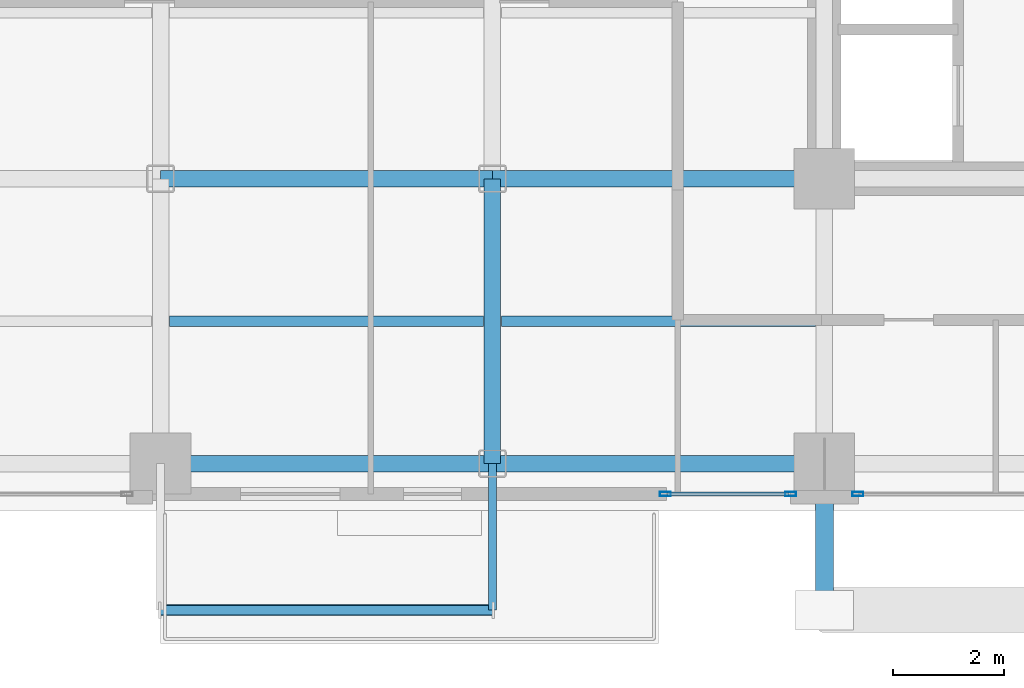
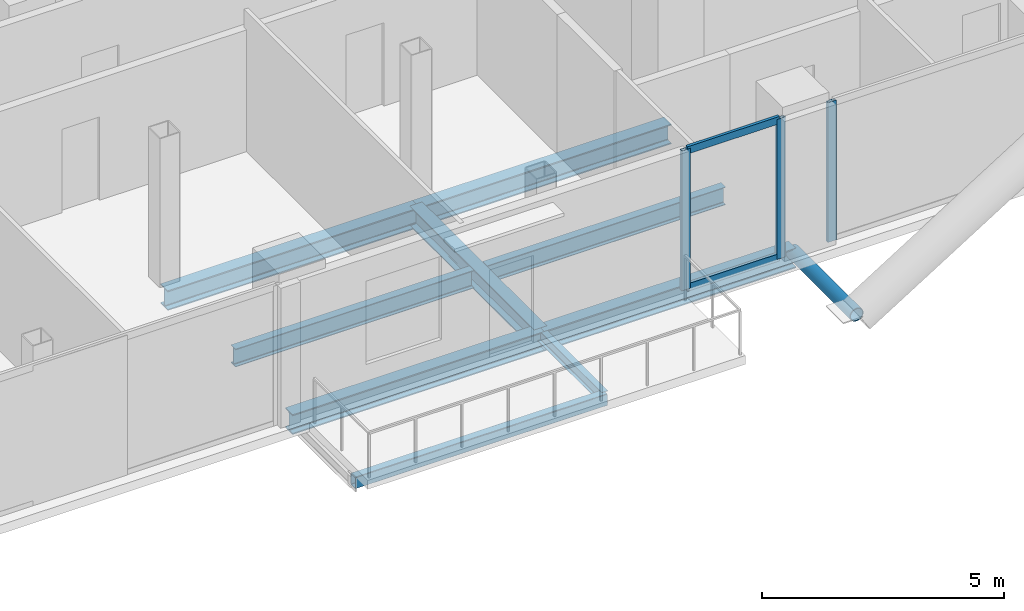
# One storey, part 3 of 24: 9 beams, 6 members, 2 elements without a shape of their own.
"""IFC4 building model written with IfcOpenShell, lengths in metres."""

from ifc_helpers import new_model, si_unit, direction, frame, origin, origin_2d, place, context, subcontext, project, spatial, hollow_rectangle, hollow_circle, i_section, extrude, material, layer, layer_set, material_profile, profile_set, type_object, element, aggregate, save


model = new_model("IFC4")

# Units and contexts
model_context = context("Model", 3, precision=1e-05, world=origin(), true_north=direction((0.0, 1.0)))
body_context = subcontext(model_context, "Body", "Model", "MODEL_VIEW")
ifc_project = project(units=[si_unit("LENGTHUNIT", "METRE"), si_unit("AREAUNIT", "SQUARE_METRE"), si_unit("VOLUMEUNIT", "CUBIC_METRE"), si_unit("PLANEANGLEUNIT", "RADIAN"), si_unit("MASSUNIT", "GRAM", prefix="KILO"), si_unit("THERMODYNAMICTEMPERATUREUNIT", "KELVIN"), si_unit("POWERUNIT", "WATT")], contexts=[model_context])

# Site, building, storey
site_placement = place(None, origin())
site = spatial("IfcSite", under=ifc_project, at=site_placement, CompositionType="ELEMENT")
building_placement = place(site_placement, origin())
building = spatial("IfcBuilding", under=site, at=building_placement, Name="Svarakhadi Broadcast Tower", CompositionType="ELEMENT")
storey_placement = place(building_placement, frame((0.0, 0.0, 145.64990234375)))
storey = spatial("IfcBuildingStorey", under=building, at=storey_placement, Name="L35", CompositionType="ELEMENT", Elevation=145.64990234375)

# Beams
ifc_material_1 = material(Name="Steel S355J2 (IS 2062 E350C)", Category="steel")
ifc_material_profile_1 = material_profile(ifc_material_1, i_section(OverallWidth=0.18994140625, OverallDepth=0.449951171875, WebThickness=0.009521484375, FlangeThickness=0.0146484375, FilletRadius=0.02099609375, at=origin_2d()), Name="NPB 450x190x78")
ifc_profile_set_1 = profile_set([ifc_material_profile_1], Name="Steel S355J2 (IS 2062 E350C)")
beam_type_1 = type_object("IfcBeamType", Name="Beam_NPB450", PredefinedType="BEAM", material=ifc_profile_set_1)
for number, where, z_axis, x_axis, name in (
    (1, (12.159912109375, 3.425048828125, -0.449951171875), (1.0, 0.0, 0.0), (0.0, 1.0, 0.0), "L35 Secondary Composite Beam SB011"),
    (2, (18.159912109375, 3.425048828125, -0.449951171875), (1.0, 0.0, 0.0), (0.0, 1.0, 0.0), "L35 Secondary Composite Beam SB016"),
):
    element("IfcBeam", number, at=place(storey_placement, frame(where, z_axis=z_axis, x_axis=x_axis)), inside=storey, type_object=beam_type_1, Name=name, PredefinedType="BEAM", context=body_context, shape_type="SweptSolid", body=[
        extrude(i_section(OverallWidth=0.18994140625, OverallDepth=0.449951171875, WebThickness=0.009521484375, FlangeThickness=0.0146484375, FilletRadius=0.02099609375, at=origin_2d()), origin(), (0.0, 0.0, 1.0), 5.68017578125),
    ])

# Curtain wall, member
ifc_material_2 = material(Name="Anodised Bronze Aluminium AA 6063-T6", Category="aluminium")
ifc_layer = layer(ifc_material_2, 0.199951171875)
ifc_layer_set = layer_set([ifc_layer], Name="Anodised Bronze Aluminium AA 6063-T6")
curtain_wall_type = type_object("IfcCurtainWallType", Name="CW_Sys_03", PredefinedType="NOTDEFINED", material=ifc_layer_set)
curtain_wall_1_placement = place(storey_placement, origin())
curtain_wall_1 = element("IfcCurtainWall", 3, at=curtain_wall_1_placement, inside=storey, type_object=curtain_wall_type, Name="L35 South Curtain Wall 16 Bay 3", PredefinedType="NOTDEFINED")
ifc_material_profile_2 = material_profile(ifc_material_2, hollow_rectangle(XDim=0.074951171875, YDim=0.199951171875, WallThickness=0.005615234375, at=origin_2d()), Name="ALU MULLION 200x75x6")
ifc_profile_set_2 = profile_set([ifc_material_profile_2], Name="Anodised Bronze Aluminium AA 6063-T6")
member_type_1 = type_object("IfcMemberType", Name="CW_Sys_03_Mul", PredefinedType="MULLION", material=ifc_profile_set_2)
member_1_placement = place(storey_placement, frame((24.607421875, 0.300048828125, 0.0), z_axis=(0.0, 0.0, 1.0), x_axis=(0.0, -1.0, 0.0)))
member_1 = element("IfcMember", 4, at=member_1_placement, type_object=member_type_1, Name="CW-03 mullion 2", PredefinedType="MULLION", context=body_context, shape_type="SweptSolid", body=[
    extrude(hollow_rectangle(XDim=0.074951171875, YDim=0.199951171875, WallThickness=0.005615234375, at=origin_2d()), origin(), (0.0, 0.0, 1.0), 3.525146484375),
])
aggregate(curtain_wall_1, [member_1])

# Curtain wall, members
curtain_wall_2_placement = place(storey_placement, origin())
curtain_wall_2 = element("IfcCurtainWall", 5, at=curtain_wall_2_placement, inside=storey, type_object=curtain_wall_type, Name="L35 South Curtain Wall 16 Bay 4", PredefinedType="NOTDEFINED")
member_2_placement = place(storey_placement, frame((23.392578125, 0.300048828125, 0.0), z_axis=(0.0, 0.0, 1.0), x_axis=(0.0, -1.0, 0.0)))
member_2 = element("IfcMember", 6, at=member_2_placement, type_object=member_type_1, Name="CW-03 mullion 1", PredefinedType="MULLION", context=body_context, shape_type="SweptSolid", body=[
    extrude(hollow_rectangle(XDim=0.074951171875, YDim=0.199951171875, WallThickness=0.005615234375, at=origin_2d()), origin(), (0.0, 0.0, 1.0), 3.525146484375),
])
member_3_placement = place(storey_placement, frame((21.12744140625, 0.300048828125, 0.0), z_axis=(0.0, 0.0, 1.0), x_axis=(0.0, -1.0, 0.0)))
member_3 = element("IfcMember", 7, at=member_3_placement, type_object=member_type_1, Name="CW-03 mullion 2", PredefinedType="MULLION", context=body_context, shape_type="SweptSolid", body=[
    extrude(hollow_rectangle(XDim=0.074951171875, YDim=0.199951171875, WallThickness=0.005615234375, at=origin_2d()), origin(), (0.0, 0.0, 1.0), 3.525146484375),
])
ifc_material_profile_3 = material_profile(ifc_material_2, hollow_rectangle(XDim=0.070068359375, YDim=0.18505859375, WallThickness=0.0048828125, at=origin_2d()), Name="ALU TRANSOM 185x70x5")
ifc_profile_set_3 = profile_set([ifc_material_profile_3], Name="Anodised Bronze Aluminium AA 6063-T6")
member_type_2 = type_object("IfcMemberType", Name="CW_Sys_03_Trn", PredefinedType="USERDEFINED", material=ifc_profile_set_3)
member_4_placement = place(storey_placement, frame((23.35498046875, 0.300048828125, 0.03515625), z_axis=(-1.0, 0.0, 0.0), x_axis=(0.0, -1.0, 0.0)))
member_4 = element("IfcMember", 8, at=member_4_placement, type_object=member_type_2, Name="CW-03 transom 1.1", ObjectType="TRANSOM", PredefinedType="USERDEFINED", context=body_context, shape_type="SweptSolid", body=[
    extrude(hollow_rectangle(XDim=0.070068359375, YDim=0.18505859375, WallThickness=0.0048828125, at=origin_2d()), origin(), (0.0, 0.0, 1.0), 2.18994140625),
])
member_5_placement = place(storey_placement, frame((23.35498046875, 0.300048828125, 3.489990234375), z_axis=(-1.0, 0.0, 0.0), x_axis=(0.0, -1.0, 0.0)))
member_5 = element("IfcMember", 9, at=member_5_placement, type_object=member_type_2, Name="CW-03 transom 1.2", ObjectType="TRANSOM", PredefinedType="USERDEFINED", context=body_context, shape_type="SweptSolid", body=[
    extrude(hollow_rectangle(XDim=0.070068359375, YDim=0.18505859375, WallThickness=0.0048828125, at=origin_2d()), origin(), (0.0, 0.0, 1.0), 2.18994140625),
])
aggregate(curtain_wall_2, [member_2, member_3, member_4, member_5])

# Member
ifc_material_3 = material(Name="Steel S460ML (IS 2062 E450BR)", Category="steel")
ifc_material_profile_4 = material_profile(ifc_material_3, hollow_circle(Radius=0.161865234375, WallThickness=0.01611328125, at=origin_2d()), Name="CHS 323.9x16")
ifc_profile_set_4 = profile_set([ifc_material_profile_4], Name="Steel S460ML (IS 2062 E450BR)")
member_type_3 = type_object("IfcMemberType", Name="Exo_Radial_Strut_Z2", PredefinedType="STRUT", material=ifc_profile_set_4)
member_6_placement = place(storey_placement, frame((24.0, -1.800048828125, -0.386962890625), z_axis=(0.0, 1.0, 0.0), x_axis=(-1.0, 0.0, 0.0)))
element("IfcMember", 10, at=member_6_placement, inside=storey, type_object=member_type_3, Name="L35 Exoskeleton Radial Tie Strut S01", PredefinedType="STRUT", context=body_context, shape_type="SweptSolid", body=[
    extrude(hollow_circle(Radius=0.161865234375, WallThickness=0.01611328125, at=origin_2d()), origin(), (0.0, 0.0, 1.0), 2.650146484375),
])

# Beams
ifc_material_profile_5 = material_profile(ifc_material_1, i_section(OverallWidth=0.300048828125, OverallDepth=0.5, WebThickness=0.014404296875, FlangeThickness=0.028076171875, FilletRadius=0.027099609375, at=origin_2d()), Name="WPB 500x300x187")
ifc_profile_set_5 = profile_set([ifc_material_profile_5], Name="Steel S355J2 (IS 2062 E350C)")
beam_type_2 = type_object("IfcBeamType", Name="Girder_WPB500", PredefinedType="USERDEFINED", material=ifc_profile_set_5)
for number, where, z_axis, x_axis, name in (
    (11, (12.0, 0.85009765625, -0.474853515625), (1.0, 0.0, 0.0), (0.0, 1.0, 0.0), "L35 Primary E-W Girder G005"),
    (12, (18.0, 0.85009765625, -0.474853515625), (1.0, 0.0, 0.0), (0.0, 1.0, 0.0), "L35 Primary E-W Girder G006"),
    (13, (12.0, 6.0, -0.474853515625), (1.0, 0.0, 0.0), (0.0, 1.0, 0.0), "L35 Primary E-W Girder G012"),
    (14, (18.0, 6.0, -0.474853515625), (1.0, 0.0, 0.0), (0.0, 1.0, 0.0), "L35 Primary E-W Girder G013"),
):
    element("IfcBeam", number, at=place(storey_placement, frame(where, z_axis=z_axis, x_axis=x_axis)), inside=storey, type_object=beam_type_2, Name=name, ObjectType="GIRDER", PredefinedType="USERDEFINED", context=body_context, shape_type="SweptSolid", body=[
        extrude(i_section(OverallWidth=0.300048828125, OverallDepth=0.5, WebThickness=0.014404296875, FlangeThickness=0.028076171875, FilletRadius=0.027099609375, at=origin_2d()), origin(), (0.0, 0.0, 1.0), 6.0),
    ])
beam_1_placement = place(storey_placement, frame((18.0, 0.85009765625, -0.474853515625), z_axis=(0.0, 1.0, 0.0), x_axis=(-1.0, 0.0, 0.0)))
element("IfcBeam", 15, at=beam_1_placement, inside=storey, type_object=beam_type_2, Name="L35 Primary N-S Girder G056", ObjectType="GIRDER", PredefinedType="USERDEFINED", context=body_context, shape_type="SweptSolid", body=[
    extrude(i_section(OverallWidth=0.300048828125, OverallDepth=0.5, WebThickness=0.014404296875, FlangeThickness=0.028076171875, FilletRadius=0.027099609375, at=origin_2d()), origin(), (0.0, 0.0, 1.0), 5.14990234375),
])
ifc_material_profile_6 = material_profile(ifc_material_1, i_section(OverallWidth=0.14990234375, OverallDepth=0.300048828125, WebThickness=0.007080078125, FlangeThickness=0.0107421875, FilletRadius=0.014892578125, at=origin_2d()), Name="NPB 300x150x37")
ifc_profile_set_6 = profile_set([ifc_material_profile_6], Name="Steel S355J2 (IS 2062 E350C)")
beam_type_3 = type_object("IfcBeamType", Name="Spandrel_NPB300", PredefinedType="SPANDREL", material=ifc_profile_set_6)
beam_2_placement = place(storey_placement, frame((18.0, 0.85009765625, -0.375), z_axis=(0.0, -1.0, 0.0), x_axis=(1.0, 0.0, 0.0)))
element("IfcBeam", 16, at=beam_2_placement, inside=storey, type_object=beam_type_3, Name="L35 Balcony Cantilever Bracket 1B", PredefinedType="SPANDREL", context=body_context, shape_type="SweptSolid", body=[
    extrude(i_section(OverallWidth=0.14990234375, OverallDepth=0.300048828125, WebThickness=0.007080078125, FlangeThickness=0.0107421875, FilletRadius=0.014892578125, at=origin_2d()), origin(), (0.0, 0.0, 1.0), 2.650146484375),
])
ifc_material_profile_7 = material_profile(ifc_material_3, hollow_rectangle(XDim=0.199951171875, YDim=0.300048828125, WallThickness=0.012451171875, InnerFilletRadius=0.012451171875, OuterFilletRadius=0.02490234375, at=origin_2d()), Name="RHS 300x200x12.5")
ifc_profile_set_7 = profile_set([ifc_material_profile_7], Name="Steel S460ML (IS 2062 E450BR)")
beam_type_4 = type_object("IfcBeamType", Name="Spandrel_RHS300", PredefinedType="SPANDREL", material=ifc_profile_set_7)
beam_3_placement = place(storey_placement, frame((12.0, -1.800048828125, -0.375), z_axis=(1.0, 0.0, 0.0), x_axis=(0.0, 1.0, 0.0)))
element("IfcBeam", 17, at=beam_3_placement, inside=storey, type_object=beam_type_4, Name="L35 Balcony Outer Spandrel 1F", PredefinedType="SPANDREL", context=body_context, shape_type="SweptSolid", body=[
    extrude(hollow_rectangle(XDim=0.199951171875, YDim=0.300048828125, WallThickness=0.012451171875, InnerFilletRadius=0.012451171875, OuterFilletRadius=0.02490234375, at=origin_2d()), origin(), (0.0, 0.0, 1.0), 6.0),
])

save(model, "model.ifc")
